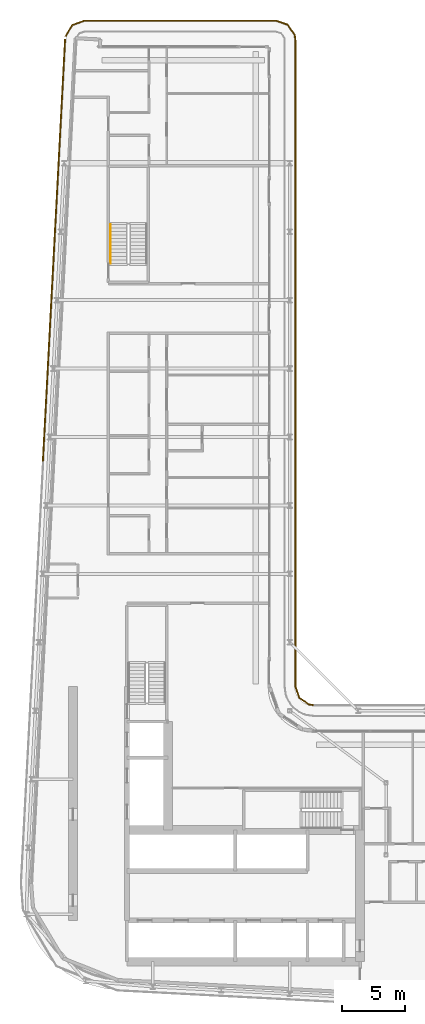
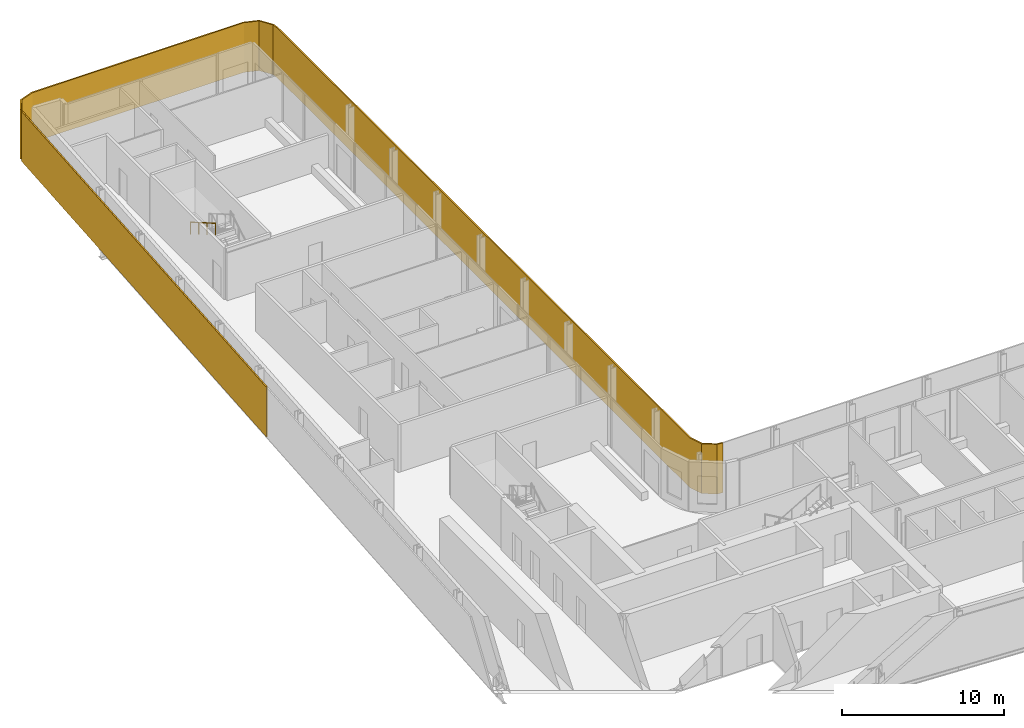
# One storey, part 21 of 23: 2 shading devices, 1 railing.
"""IFC4 building model written with IfcOpenShell, lengths in metres."""

from ifc_helpers import new_model, si_unit, direction, frame, origin, origin_2d, place, context, subcontext, project, spatial, polyline, rectangle, circle, outline, extrude, material, layer, layer_set, type_object, element, save


model = new_model("IFC4")

# Units and contexts
model_context = context("Model", 3, precision=1e-05, world=origin(), true_north=direction((0.0, 1.0)))
body_context = subcontext(model_context, "Body", "Model", "MODEL_VIEW")
ifc_project = project(units=[si_unit("LENGTHUNIT", "METRE"), si_unit("AREAUNIT", "SQUARE_METRE"), si_unit("VOLUMEUNIT", "CUBIC_METRE"), si_unit("PLANEANGLEUNIT", "RADIAN"), si_unit("MASSUNIT", "GRAM", prefix="KILO")], contexts=[model_context])

# Site, building, storey
site_placement = place(None, origin())
site = spatial("IfcSite", under=ifc_project, at=site_placement, CompositionType="ELEMENT")
building_placement = place(site_placement, origin())
building = spatial("IfcBuilding", under=site, at=building_placement, Name="Kheshtan School and Residences Tower", CompositionType="ELEMENT")
storey_placement = place(building_placement, frame((0.0, 0.0, 259.10009765625)))
storey = spatial("IfcBuildingStorey", under=building, at=storey_placement, Name="L61", CompositionType="ELEMENT", Elevation=259.10009765625)

# Shading devices
ifc_material_1 = material(Name="Terracotta baguette, extruded ceramic", Category="masonry")
ifc_layer_1 = layer(ifc_material_1, 0.10009765625)
ifc_layer_set_1 = layer_set([ifc_layer_1], Name="Ledge screen, terracotta baguettes")
shading_device_type_1 = type_object("IfcShadingDeviceType", Name="Ledge screen, terracotta baguettes", PredefinedType="USERDEFINED", material=ifc_layer_set_1)
shading_device_1_placement = place(storey_placement, frame((28.9990234375, 81.93408203125, 0.0), z_axis=(0.0, 0.0, 1.0), x_axis=(0.052562536748, 0.998617634398, 0.0)))
element("IfcShadingDevice", 1, at=shading_device_1_placement, inside=storey, type_object=shading_device_type_1, Name="Screen L61 5", ObjectType="BAGUETTE", PredefinedType="USERDEFINED", context=body_context, shape_type="SweptSolid", body=[
    extrude(rectangle(XDim=33.341064453125, YDim=0.10009765625, at=origin_2d()), origin(), (0.0, 0.0, 1.0), 3.75),
])
ifc_material_2 = material(Name="Terracotta lattice, extruded ceramic", Category="masonry")
ifc_layer_2 = layer(ifc_material_2, 0.10009765625)
ifc_layer_set_2 = layer_set([ifc_layer_2], Name="Loggia screen, terracotta lattice")
shading_device_type_2 = type_object("IfcShadingDeviceType", Name="Loggia screen, terracotta lattice", PredefinedType="USERDEFINED", material=ifc_layer_set_2)
shading_device_2_placement = place(storey_placement, origin())
element("IfcShadingDevice", 2, at=shading_device_2_placement, inside=storey, type_object=shading_device_type_2, Name="Screen L61 1", ObjectType="SCREEN", PredefinedType="USERDEFINED", context=body_context, shape_type="SweptSolid", body=[
    extrude(outline(polyline([(29.949951171875, 98.783935546875), (30.468017578125, 99.656982421875), (31.423095703125, 100.0), (46.5, 100.0), (47.4130859375, 99.68994140625), (47.948974609375, 98.887939453125), (48.0, 98.5), (48.0, 47.5), (48.31005859375, 46.5869140625), (49.112060546875, 46.051025390625), (49.5, 46.0), (49.512939453125, 46.09912109375), (49.14794921875, 46.14697265625), (48.39404296875, 46.65087890625), (48.10009765625, 47.51708984375), (48.10009765625, 98.507080078125), (48.044921875, 98.924072265625), (47.47705078125, 99.77392578125), (46.51708984375, 100.10009765625), (31.406005859375, 100.10009765625), (30.39990234375, 99.739013671875), (29.864013671875, 98.8349609375), (29.949951171875, 98.783935546875)])), origin(), (0.0, 0.0, 1.0), 3.75),
])

# Railing
ifc_material_3 = material(Name="Stainless steel handrail", Category="steel")
railing_type = type_object("IfcRailingType", Name="Stair handrail 900", PredefinedType="HANDRAIL", material=ifc_material_3)
railing_placement = place(storey_placement, frame((33.449951171875, 83.97998046875, 2.1123046875)))
element("IfcRailing", 3, at=railing_placement, inside=storey, type_object=railing_type, Name="L61 ST3 stair handrail 2", PredefinedType="HANDRAIL", context=body_context, shape_type="SweptSolid", body=[
    extrude(circle(Radius=0.02392578125, at=origin_2d()), frame((0.0, 0.0, 0.8759765625), z_axis=(0.0, -0.864890721111, 0.501960198159), x_axis=(1.0, 0.0, 0.0)), (0.0, 0.0, 1.0), 3.561279296875),
    extrude(circle(Radius=0.02099609375, at=origin_2d()), origin(), (0.0, 0.0, 1.0), 0.851806640625),
    extrude(circle(Radius=0.02099609375, at=origin_2d()), frame((0.0, -1.026611328125, 0.595947265625)), (0.0, 0.0, 1.0), 0.851806640625),
    extrude(circle(Radius=0.02099609375, at=origin_2d()), frame((0.0, -2.053466796875, 1.191650390625)), (0.0, 0.0, 1.0), 0.851806640625),
    extrude(circle(Radius=0.02099609375, at=origin_2d()), frame((0.0, -3.080078125, 1.78759765625)), (0.0, 0.0, 1.0), 0.851806640625),
])

save(model, "model.ifc")
